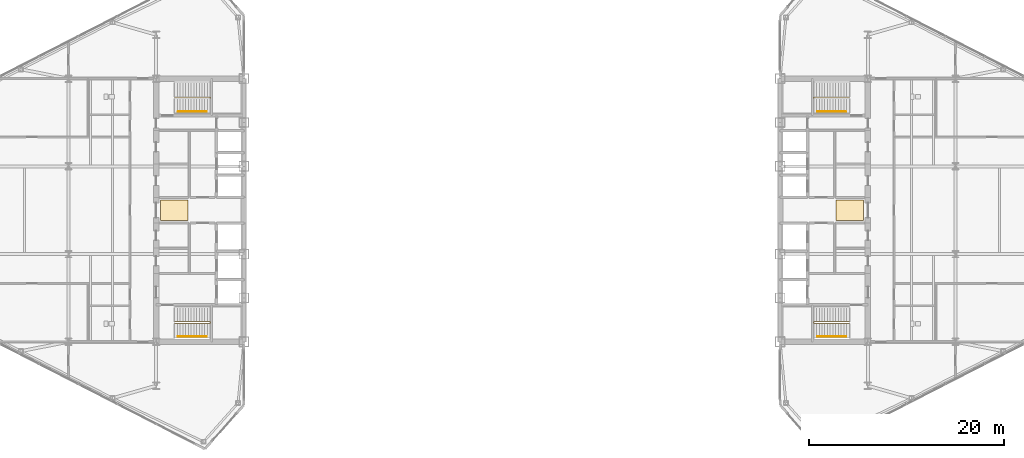
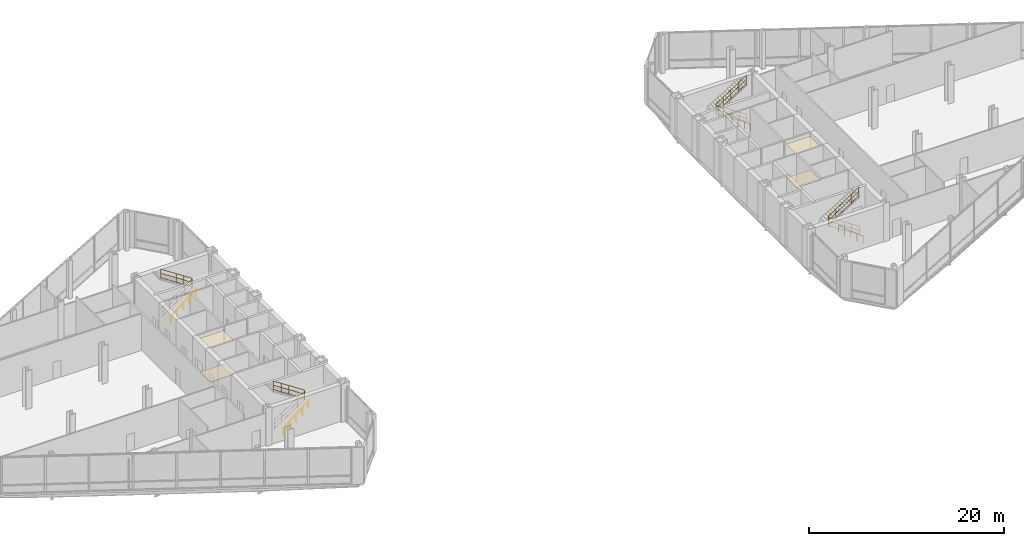
# One storey, part 21 of 22: 8 railings, 4 coverings.
"""IFC4 building model written with IfcOpenShell, lengths in metres."""

from ifc_helpers import new_model, si_unit, direction, frame, origin, origin_2d, place, context, subcontext, project, spatial, polyline, circle, outline, extrude, material, layer, layer_set, type_object, element, save


model = new_model("IFC4")

# Units and contexts
model_context = context("Model", 3, precision=1e-05, world=origin(), true_north=direction((0.0, 1.0)))
body_context = subcontext(model_context, "Body", "Model", "MODEL_VIEW")
ifc_project = project(units=[si_unit("LENGTHUNIT", "METRE"), si_unit("AREAUNIT", "SQUARE_METRE"), si_unit("VOLUMEUNIT", "CUBIC_METRE"), si_unit("PLANEANGLEUNIT", "RADIAN"), si_unit("MASSUNIT", "GRAM", prefix="KILO")], contexts=[model_context])

# Site, building, storey
site_placement = place(None, origin())
site = spatial("IfcSite", under=ifc_project, at=site_placement, CompositionType="ELEMENT")
building_placement = place(site_placement, origin())
building = spatial("IfcBuilding", under=site, at=building_placement, Name="Seokmaru Belvedere", CompositionType="ELEMENT")
storey_placement = place(building_placement, frame((0.0, 0.0, 135.60009765625)))
storey = spatial("IfcBuildingStorey", under=building, at=storey_placement, Name="L36", CompositionType="ELEMENT", Elevation=135.60009765625)

# Coverings
ifc_material_1 = material(Name="Honed Incheon Granite Stone", Category="masonry")
ifc_layer_1 = layer(ifc_material_1, 0.030029296875)
ifc_layer_set_1 = layer_set([ifc_layer_1], Name="Honed Incheon Granite Stone")
covering_type_1 = type_object("IfcCoveringType", Name="Honed Granite Lobby Floor Finish 30", PredefinedType="FLOORING", material=ifc_layer_set_1)
covering_1_placement = place(storey_placement, origin())
element("IfcCovering", 1, at=covering_1_placement, inside=storey, type_object=covering_type_1, Name="L36 W Foyer Floor Finish", PredefinedType="FLOORING", context=body_context, shape_type="SweptSolid", body=[
    extrude(outline(polyline([(-36.050048828125, -1.050048828125), (-33.25, -1.050048828125), (-33.25, 1.050048828125), (-36.050048828125, 1.050048828125), (-36.050048828125, -1.050048828125)])), origin(), (0.0, 0.0, 1.0), 0.02978515625),
])
covering_2_placement = place(storey_placement, origin())
element("IfcCovering", 2, at=covering_2_placement, inside=storey, type_object=covering_type_1, Name="L36 E Foyer Floor Finish", PredefinedType="FLOORING", context=body_context, shape_type="SweptSolid", body=[
    extrude(outline(polyline([(33.25, -1.050048828125), (36.050048828125, -1.050048828125), (36.050048828125, 1.050048828125), (33.25, 1.050048828125), (33.25, -1.050048828125)])), origin(), (0.0, 0.0, 1.0), 0.02978515625),
])
ifc_material_2 = material(Name="Fire-Rated Gypsum Shaftwall")
ifc_layer_2 = layer(ifc_material_2, 0.02490234375)
ifc_layer_set_2 = layer_set([ifc_layer_2], Name="Fire-Rated Gypsum Shaftwall")
covering_type_2 = type_object("IfcCoveringType", Name="Perforated Acoustic Gypsum Suspended Ceiling 25", PredefinedType="CEILING", material=ifc_layer_set_2)
covering_3_placement = place(storey_placement, frame((0.0, 0.0, 4.22998046875)))
element("IfcCovering", 3, at=covering_3_placement, inside=storey, type_object=covering_type_2, Name="L36 W Lift Foyer Acoustic Ceiling", PredefinedType="CEILING", context=body_context, shape_type="SweptSolid", body=[
    extrude(outline(polyline([(-36.050048828125, -1.050048828125), (-33.25, -1.050048828125), (-33.25, 1.050048828125), (-36.050048828125, 1.050048828125), (-36.050048828125, -1.050048828125)])), origin(), (0.0, 0.0, 1.0), 0.02490234375),
])
covering_4_placement = place(storey_placement, frame((0.0, 0.0, 4.22998046875)))
element("IfcCovering", 4, at=covering_4_placement, inside=storey, type_object=covering_type_2, Name="L36 E Lift Foyer Acoustic Ceiling", PredefinedType="CEILING", context=body_context, shape_type="SweptSolid", body=[
    extrude(outline(polyline([(33.25, -1.050048828125), (36.050048828125, -1.050048828125), (36.050048828125, 1.050048828125), (33.25, 1.050048828125), (33.25, -1.050048828125)])), origin(), (0.0, 0.0, 1.0), 0.02490234375),
])

# Railings
ifc_material_3 = material(Name="Stainless Steel 316", Category="steel")
railing_type_1 = type_object("IfcRailingType", Name="Stainless Steel Wall and Flight Handrail 900", PredefinedType="HANDRAIL", material=ifc_material_3)
for number, where, name in (
    (5, (-34.25, -12.949951171875, 0.0), "L36 Stair ST-W1 Wall Handrail"),
    (6, (-34.25, 10.110107421875, 0.0), "L36 Stair ST-W2 Wall Handrail"),
):
    element("IfcRailing", number, at=place(storey_placement, frame(where)), inside=storey, type_object=railing_type_1, Name=name, PredefinedType="HANDRAIL", context=body_context, shape_type="SweptSolid", body=[
        extrude(circle(Radius=0.02392578125, at=origin_2d()), frame((0.0, 0.0, 0.8759765625), z_axis=(0.774667631543, 0.0, 0.632368611365), x_axis=(0.0, 1.0, 0.0)), (0.0, 0.0, 1.0), 3.795166015625),
        extrude(circle(Radius=0.02099609375, at=origin_2d()), origin(), (0.0, 0.0, 1.0), 0.851806640625),
        extrude(circle(Radius=0.02099609375, at=origin_2d()), frame((0.73486328125, 0.0, 0.60009765625)), (0.0, 0.0, 1.0), 0.851806640625),
        extrude(circle(Radius=0.02099609375, at=origin_2d()), frame((1.469970703125, 0.0, 1.199951171875)), (0.0, 0.0, 1.0), 0.851806640625),
        extrude(circle(Radius=0.02099609375, at=origin_2d()), frame((2.205078125, 0.0, 1.7998046875)), (0.0, 0.0, 1.0), 0.851806640625),
        extrude(circle(Radius=0.02099609375, at=origin_2d()), frame((2.93994140625, 0.0, 2.39990234375)), (0.0, 0.0, 1.0), 0.851806640625),
    ])
for number, where, name in (
    (7, (34.25, -12.949951171875, 0.0), "L36 Stair ST-E1 Wall Handrail"),
    (8, (34.25, 10.110107421875, 0.0), "L36 Stair ST-E2 Wall Handrail"),
):
    element("IfcRailing", number, at=place(storey_placement, frame(where)), inside=storey, type_object=railing_type_1, Name=name, PredefinedType="HANDRAIL", context=body_context, shape_type="SweptSolid", body=[
        extrude(circle(Radius=0.02392578125, at=origin_2d()), frame((0.0, 0.0, 0.8759765625), z_axis=(-0.774667631543, 0.0, 0.632368611365), x_axis=(0.0, -1.0, 0.0)), (0.0, 0.0, 1.0), 3.795166015625),
        extrude(circle(Radius=0.02099609375, at=origin_2d()), origin(), (0.0, 0.0, 1.0), 0.851806640625),
        extrude(circle(Radius=0.02099609375, at=origin_2d()), frame((-0.73486328125, 0.0, 0.60009765625)), (0.0, 0.0, 1.0), 0.851806640625),
        extrude(circle(Radius=0.02099609375, at=origin_2d()), frame((-1.469970703125, 0.0, 1.199951171875)), (0.0, 0.0, 1.0), 0.851806640625),
        extrude(circle(Radius=0.02099609375, at=origin_2d()), frame((-2.205078125, 0.0, 1.7998046875)), (0.0, 0.0, 1.0), 0.851806640625),
        extrude(circle(Radius=0.02099609375, at=origin_2d()), frame((-2.93994140625, 0.0, 2.39990234375)), (0.0, 0.0, 1.0), 0.851806640625),
    ])
railing_type_2 = type_object("IfcRailingType", Name="Stair Well and Atrium Steel Guardrail 1200", PredefinedType="GUARDRAIL", material=ifc_material_3)
railing_1_placement = place(storey_placement, frame((-34.60009765625, -11.60009765625, 0.0)))
element("IfcRailing", 9, at=railing_1_placement, inside=storey, type_object=railing_type_2, Name="L36 Stair ST-W1 Inner Well Guardrail", PredefinedType="GUARDRAIL", context=body_context, shape_type="SweptSolid", body=[
    extrude(circle(Radius=0.02392578125, at=origin_2d()), frame((0.0, 0.0, 1.17578125), z_axis=(0.83488217925, 0.0, 0.55042869363), x_axis=(0.0, 1.0, 0.0)), (0.0, 0.0, 1.0), 4.360107421875),
    extrude(circle(Radius=0.02392578125, at=origin_2d()), frame((0.0, 0.0, 0.1201171875), z_axis=(0.83488217925, 0.0, 0.55042869363), x_axis=(0.0, 1.0, 0.0)), (0.0, 0.0, 1.0), 4.360107421875),
    extrude(circle(Radius=0.02392578125, at=origin_2d()), frame((0.0, 0.0, 0.659912109375), z_axis=(0.83488217925, 0.0, 0.55042869363), x_axis=(0.0, 1.0, 0.0)), (0.0, 0.0, 1.0), 4.360107421875),
    extrude(circle(Radius=0.02392578125, at=origin_2d()), frame((3.64013671875, 0.0, 3.57568359375), z_axis=(0.0, 1.0, 0.0), x_axis=(-1.0, 0.0, 0.0)), (0.0, 0.0, 1.0), 0.14013671875),
    extrude(circle(Radius=0.02392578125, at=origin_2d()), frame((3.64013671875, 0.0, 2.52001953125), z_axis=(0.0, 1.0, 0.0), x_axis=(-1.0, 0.0, 0.0)), (0.0, 0.0, 1.0), 0.14013671875),
    extrude(circle(Radius=0.02392578125, at=origin_2d()), frame((3.64013671875, 0.0, 3.059814453125), z_axis=(0.0, 1.0, 0.0), x_axis=(-1.0, 0.0, 0.0)), (0.0, 0.0, 1.0), 0.14013671875),
    extrude(circle(Radius=0.02392578125, at=origin_2d()), frame((3.64013671875, 0.14013671875, 3.57568359375), z_axis=(-0.83488217925, 0.0, 0.55042869363), x_axis=(0.0, -1.0, 0.0)), (0.0, 0.0, 1.0), 4.360107421875),
    extrude(circle(Radius=0.02392578125, at=origin_2d()), frame((3.64013671875, 0.14013671875, 2.52001953125), z_axis=(-0.83488217925, 0.0, 0.55042869363), x_axis=(0.0, -1.0, 0.0)), (0.0, 0.0, 1.0), 4.360107421875),
    extrude(circle(Radius=0.02392578125, at=origin_2d()), frame((3.64013671875, 0.14013671875, 3.059814453125), z_axis=(-0.83488217925, 0.0, 0.55042869363), x_axis=(0.0, -1.0, 0.0)), (0.0, 0.0, 1.0), 4.360107421875),
    extrude(circle(Radius=0.02099609375, at=origin_2d()), origin(), (0.0, 0.0, 1.0), 1.15185546875),
    extrude(circle(Radius=0.02099609375, at=origin_2d()), frame((0.91015625, 0.0, 0.60009765625)), (0.0, 0.0, 1.0), 1.15185546875),
    extrude(circle(Radius=0.02099609375, at=origin_2d()), frame((1.820068359375, 0.0, 1.199951171875)), (0.0, 0.0, 1.0), 1.15185546875),
    extrude(circle(Radius=0.02099609375, at=origin_2d()), frame((2.72998046875, 0.0, 1.7998046875)), (0.0, 0.0, 1.0), 1.15185546875),
    extrude(circle(Radius=0.02099609375, at=origin_2d()), frame((3.64013671875, 0.0, 2.39990234375)), (0.0, 0.0, 1.0), 1.15185546875),
    extrude(circle(Radius=0.02099609375, at=origin_2d()), frame((3.64013671875, 0.14013671875, 2.39990234375)), (0.0, 0.0, 1.0), 1.15185546875),
    extrude(circle(Radius=0.02099609375, at=origin_2d()), frame((2.72998046875, 0.14013671875, 3.0)), (0.0, 0.0, 1.0), 1.15185546875),
    extrude(circle(Radius=0.02099609375, at=origin_2d()), frame((1.820068359375, 0.14013671875, 3.599853515625)), (0.0, 0.0, 1.0), 1.15185546875),
    extrude(circle(Radius=0.02099609375, at=origin_2d()), frame((0.91015625, 0.14013671875, 4.19970703125)), (0.0, 0.0, 1.0), 1.15185546875),
    extrude(circle(Radius=0.02099609375, at=origin_2d()), frame((0.0, 0.14013671875, 4.7998046875)), (0.0, 0.0, 1.0), 1.15185546875),
])
railing_2_placement = place(storey_placement, frame((-34.60009765625, 11.4599609375, 0.0)))
element("IfcRailing", 10, at=railing_2_placement, inside=storey, type_object=railing_type_2, Name="L36 Stair ST-W2 Inner Well Guardrail", PredefinedType="GUARDRAIL", context=body_context, shape_type="SweptSolid", body=[
    extrude(circle(Radius=0.02392578125, at=origin_2d()), frame((0.0, 0.0, 1.17578125), z_axis=(0.83488217925, 0.0, 0.55042869363), x_axis=(0.0, 1.0, 0.0)), (0.0, 0.0, 1.0), 4.360107421875),
    extrude(circle(Radius=0.02392578125, at=origin_2d()), frame((0.0, 0.0, 0.1201171875), z_axis=(0.83488217925, 0.0, 0.55042869363), x_axis=(0.0, 1.0, 0.0)), (0.0, 0.0, 1.0), 4.360107421875),
    extrude(circle(Radius=0.02392578125, at=origin_2d()), frame((0.0, 0.0, 0.659912109375), z_axis=(0.83488217925, 0.0, 0.55042869363), x_axis=(0.0, 1.0, 0.0)), (0.0, 0.0, 1.0), 4.360107421875),
    extrude(circle(Radius=0.02392578125, at=origin_2d()), frame((3.64013671875, 0.0, 3.57568359375), z_axis=(0.0, 1.0, 0.0), x_axis=(-1.0, 0.0, 0.0)), (0.0, 0.0, 1.0), 0.14013671875),
    extrude(circle(Radius=0.02392578125, at=origin_2d()), frame((3.64013671875, 0.0, 2.52001953125), z_axis=(0.0, 1.0, 0.0), x_axis=(-1.0, 0.0, 0.0)), (0.0, 0.0, 1.0), 0.14013671875),
    extrude(circle(Radius=0.02392578125, at=origin_2d()), frame((3.64013671875, 0.0, 3.059814453125), z_axis=(0.0, 1.0, 0.0), x_axis=(-1.0, 0.0, 0.0)), (0.0, 0.0, 1.0), 0.14013671875),
    extrude(circle(Radius=0.02392578125, at=origin_2d()), frame((3.64013671875, 0.14013671875, 3.57568359375), z_axis=(-0.83488217925, 0.0, 0.55042869363), x_axis=(0.0, -1.0, 0.0)), (0.0, 0.0, 1.0), 4.360107421875),
    extrude(circle(Radius=0.02392578125, at=origin_2d()), frame((3.64013671875, 0.14013671875, 2.52001953125), z_axis=(-0.83488217925, 0.0, 0.55042869363), x_axis=(0.0, -1.0, 0.0)), (0.0, 0.0, 1.0), 4.360107421875),
    extrude(circle(Radius=0.02392578125, at=origin_2d()), frame((3.64013671875, 0.14013671875, 3.059814453125), z_axis=(-0.83488217925, 0.0, 0.55042869363), x_axis=(0.0, -1.0, 0.0)), (0.0, 0.0, 1.0), 4.360107421875),
    extrude(circle(Radius=0.02099609375, at=origin_2d()), origin(), (0.0, 0.0, 1.0), 1.15185546875),
    extrude(circle(Radius=0.02099609375, at=origin_2d()), frame((0.91015625, 0.0, 0.60009765625)), (0.0, 0.0, 1.0), 1.15185546875),
    extrude(circle(Radius=0.02099609375, at=origin_2d()), frame((1.820068359375, 0.0, 1.199951171875)), (0.0, 0.0, 1.0), 1.15185546875),
    extrude(circle(Radius=0.02099609375, at=origin_2d()), frame((2.72998046875, 0.0, 1.7998046875)), (0.0, 0.0, 1.0), 1.15185546875),
    extrude(circle(Radius=0.02099609375, at=origin_2d()), frame((3.64013671875, 0.0, 2.39990234375)), (0.0, 0.0, 1.0), 1.15185546875),
    extrude(circle(Radius=0.02099609375, at=origin_2d()), frame((3.64013671875, 0.14013671875, 2.39990234375)), (0.0, 0.0, 1.0), 1.15185546875),
    extrude(circle(Radius=0.02099609375, at=origin_2d()), frame((2.72998046875, 0.14013671875, 3.0)), (0.0, 0.0, 1.0), 1.15185546875),
    extrude(circle(Radius=0.02099609375, at=origin_2d()), frame((1.820068359375, 0.14013671875, 3.599853515625)), (0.0, 0.0, 1.0), 1.15185546875),
    extrude(circle(Radius=0.02099609375, at=origin_2d()), frame((0.91015625, 0.14013671875, 4.19970703125)), (0.0, 0.0, 1.0), 1.15185546875),
    extrude(circle(Radius=0.02099609375, at=origin_2d()), frame((0.0, 0.14013671875, 4.7998046875)), (0.0, 0.0, 1.0), 1.15185546875),
])
railing_3_placement = place(storey_placement, frame((34.60009765625, -11.60009765625, 0.0)))
element("IfcRailing", 11, at=railing_3_placement, inside=storey, type_object=railing_type_2, Name="L36 Stair ST-E1 Inner Well Guardrail", PredefinedType="GUARDRAIL", context=body_context, shape_type="SweptSolid", body=[
    extrude(circle(Radius=0.02392578125, at=origin_2d()), frame((0.0, 0.0, 1.17578125), z_axis=(-0.83488217925, 0.0, 0.55042869363), x_axis=(0.0, -1.0, 0.0)), (0.0, 0.0, 1.0), 4.360107421875),
    extrude(circle(Radius=0.02392578125, at=origin_2d()), frame((0.0, 0.0, 0.1201171875), z_axis=(-0.83488217925, 0.0, 0.55042869363), x_axis=(0.0, -1.0, 0.0)), (0.0, 0.0, 1.0), 4.360107421875),
    extrude(circle(Radius=0.02392578125, at=origin_2d()), frame((0.0, 0.0, 0.659912109375), z_axis=(-0.83488217925, 0.0, 0.55042869363), x_axis=(0.0, -1.0, 0.0)), (0.0, 0.0, 1.0), 4.360107421875),
    extrude(circle(Radius=0.02392578125, at=origin_2d()), frame((-3.64013671875, 0.0, 3.57568359375), z_axis=(0.0, 1.0, 0.0), x_axis=(-1.0, 0.0, 0.0)), (0.0, 0.0, 1.0), 0.14013671875),
    extrude(circle(Radius=0.02392578125, at=origin_2d()), frame((-3.64013671875, 0.0, 2.52001953125), z_axis=(0.0, 1.0, 0.0), x_axis=(-1.0, 0.0, 0.0)), (0.0, 0.0, 1.0), 0.14013671875),
    extrude(circle(Radius=0.02392578125, at=origin_2d()), frame((-3.64013671875, 0.0, 3.059814453125), z_axis=(0.0, 1.0, 0.0), x_axis=(-1.0, 0.0, 0.0)), (0.0, 0.0, 1.0), 0.14013671875),
    extrude(circle(Radius=0.02392578125, at=origin_2d()), frame((-3.64013671875, 0.14013671875, 3.57568359375), z_axis=(0.83488217925, 0.0, 0.55042869363), x_axis=(0.0, 1.0, 0.0)), (0.0, 0.0, 1.0), 4.360107421875),
    extrude(circle(Radius=0.02392578125, at=origin_2d()), frame((-3.64013671875, 0.14013671875, 2.52001953125), z_axis=(0.83488217925, 0.0, 0.55042869363), x_axis=(0.0, 1.0, 0.0)), (0.0, 0.0, 1.0), 4.360107421875),
    extrude(circle(Radius=0.02392578125, at=origin_2d()), frame((-3.64013671875, 0.14013671875, 3.059814453125), z_axis=(0.83488217925, 0.0, 0.55042869363), x_axis=(0.0, 1.0, 0.0)), (0.0, 0.0, 1.0), 4.360107421875),
    extrude(circle(Radius=0.02099609375, at=origin_2d()), origin(), (0.0, 0.0, 1.0), 1.15185546875),
    extrude(circle(Radius=0.02099609375, at=origin_2d()), frame((-0.91015625, 0.0, 0.60009765625)), (0.0, 0.0, 1.0), 1.15185546875),
    extrude(circle(Radius=0.02099609375, at=origin_2d()), frame((-1.820068359375, 0.0, 1.199951171875)), (0.0, 0.0, 1.0), 1.15185546875),
    extrude(circle(Radius=0.02099609375, at=origin_2d()), frame((-2.72998046875, 0.0, 1.7998046875)), (0.0, 0.0, 1.0), 1.15185546875),
    extrude(circle(Radius=0.02099609375, at=origin_2d()), frame((-3.64013671875, 0.0, 2.39990234375)), (0.0, 0.0, 1.0), 1.15185546875),
    extrude(circle(Radius=0.02099609375, at=origin_2d()), frame((-3.64013671875, 0.14013671875, 2.39990234375)), (0.0, 0.0, 1.0), 1.15185546875),
    extrude(circle(Radius=0.02099609375, at=origin_2d()), frame((-2.72998046875, 0.14013671875, 3.0)), (0.0, 0.0, 1.0), 1.15185546875),
    extrude(circle(Radius=0.02099609375, at=origin_2d()), frame((-1.820068359375, 0.14013671875, 3.599853515625)), (0.0, 0.0, 1.0), 1.15185546875),
    extrude(circle(Radius=0.02099609375, at=origin_2d()), frame((-0.91015625, 0.14013671875, 4.19970703125)), (0.0, 0.0, 1.0), 1.15185546875),
    extrude(circle(Radius=0.02099609375, at=origin_2d()), frame((0.0, 0.14013671875, 4.7998046875)), (0.0, 0.0, 1.0), 1.15185546875),
])
railing_4_placement = place(storey_placement, frame((34.60009765625, 11.4599609375, 0.0)))
element("IfcRailing", 12, at=railing_4_placement, inside=storey, type_object=railing_type_2, Name="L36 Stair ST-E2 Inner Well Guardrail", PredefinedType="GUARDRAIL", context=body_context, shape_type="SweptSolid", body=[
    extrude(circle(Radius=0.02392578125, at=origin_2d()), frame((0.0, 0.0, 1.17578125), z_axis=(-0.83488217925, 0.0, 0.55042869363), x_axis=(0.0, -1.0, 0.0)), (0.0, 0.0, 1.0), 4.360107421875),
    extrude(circle(Radius=0.02392578125, at=origin_2d()), frame((0.0, 0.0, 0.1201171875), z_axis=(-0.83488217925, 0.0, 0.55042869363), x_axis=(0.0, -1.0, 0.0)), (0.0, 0.0, 1.0), 4.360107421875),
    extrude(circle(Radius=0.02392578125, at=origin_2d()), frame((0.0, 0.0, 0.659912109375), z_axis=(-0.83488217925, 0.0, 0.55042869363), x_axis=(0.0, -1.0, 0.0)), (0.0, 0.0, 1.0), 4.360107421875),
    extrude(circle(Radius=0.02392578125, at=origin_2d()), frame((-3.64013671875, 0.0, 3.57568359375), z_axis=(0.0, 1.0, 0.0), x_axis=(-1.0, 0.0, 0.0)), (0.0, 0.0, 1.0), 0.14013671875),
    extrude(circle(Radius=0.02392578125, at=origin_2d()), frame((-3.64013671875, 0.0, 2.52001953125), z_axis=(0.0, 1.0, 0.0), x_axis=(-1.0, 0.0, 0.0)), (0.0, 0.0, 1.0), 0.14013671875),
    extrude(circle(Radius=0.02392578125, at=origin_2d()), frame((-3.64013671875, 0.0, 3.059814453125), z_axis=(0.0, 1.0, 0.0), x_axis=(-1.0, 0.0, 0.0)), (0.0, 0.0, 1.0), 0.14013671875),
    extrude(circle(Radius=0.02392578125, at=origin_2d()), frame((-3.64013671875, 0.14013671875, 3.57568359375), z_axis=(0.83488217925, 0.0, 0.55042869363), x_axis=(0.0, 1.0, 0.0)), (0.0, 0.0, 1.0), 4.360107421875),
    extrude(circle(Radius=0.02392578125, at=origin_2d()), frame((-3.64013671875, 0.14013671875, 2.52001953125), z_axis=(0.83488217925, 0.0, 0.55042869363), x_axis=(0.0, 1.0, 0.0)), (0.0, 0.0, 1.0), 4.360107421875),
    extrude(circle(Radius=0.02392578125, at=origin_2d()), frame((-3.64013671875, 0.14013671875, 3.059814453125), z_axis=(0.83488217925, 0.0, 0.55042869363), x_axis=(0.0, 1.0, 0.0)), (0.0, 0.0, 1.0), 4.360107421875),
    extrude(circle(Radius=0.02099609375, at=origin_2d()), origin(), (0.0, 0.0, 1.0), 1.15185546875),
    extrude(circle(Radius=0.02099609375, at=origin_2d()), frame((-0.91015625, 0.0, 0.60009765625)), (0.0, 0.0, 1.0), 1.15185546875),
    extrude(circle(Radius=0.02099609375, at=origin_2d()), frame((-1.820068359375, 0.0, 1.199951171875)), (0.0, 0.0, 1.0), 1.15185546875),
    extrude(circle(Radius=0.02099609375, at=origin_2d()), frame((-2.72998046875, 0.0, 1.7998046875)), (0.0, 0.0, 1.0), 1.15185546875),
    extrude(circle(Radius=0.02099609375, at=origin_2d()), frame((-3.64013671875, 0.0, 2.39990234375)), (0.0, 0.0, 1.0), 1.15185546875),
    extrude(circle(Radius=0.02099609375, at=origin_2d()), frame((-3.64013671875, 0.14013671875, 2.39990234375)), (0.0, 0.0, 1.0), 1.15185546875),
    extrude(circle(Radius=0.02099609375, at=origin_2d()), frame((-2.72998046875, 0.14013671875, 3.0)), (0.0, 0.0, 1.0), 1.15185546875),
    extrude(circle(Radius=0.02099609375, at=origin_2d()), frame((-1.820068359375, 0.14013671875, 3.599853515625)), (0.0, 0.0, 1.0), 1.15185546875),
    extrude(circle(Radius=0.02099609375, at=origin_2d()), frame((-0.91015625, 0.14013671875, 4.19970703125)), (0.0, 0.0, 1.0), 1.15185546875),
    extrude(circle(Radius=0.02099609375, at=origin_2d()), frame((0.0, 0.14013671875, 4.7998046875)), (0.0, 0.0, 1.0), 1.15185546875),
])

save(model, "model.ifc")
